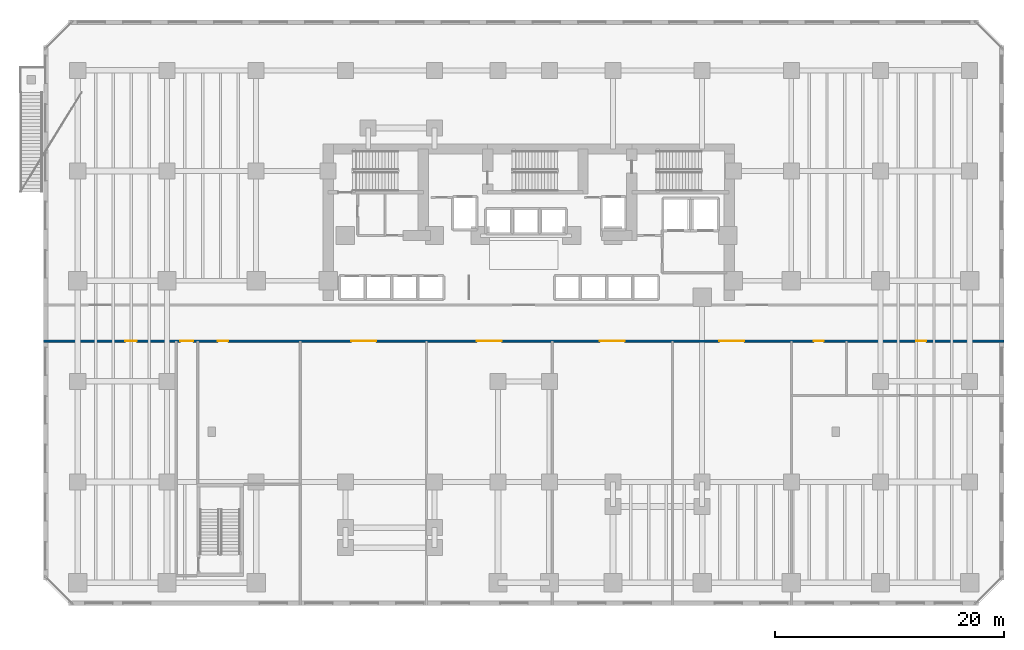
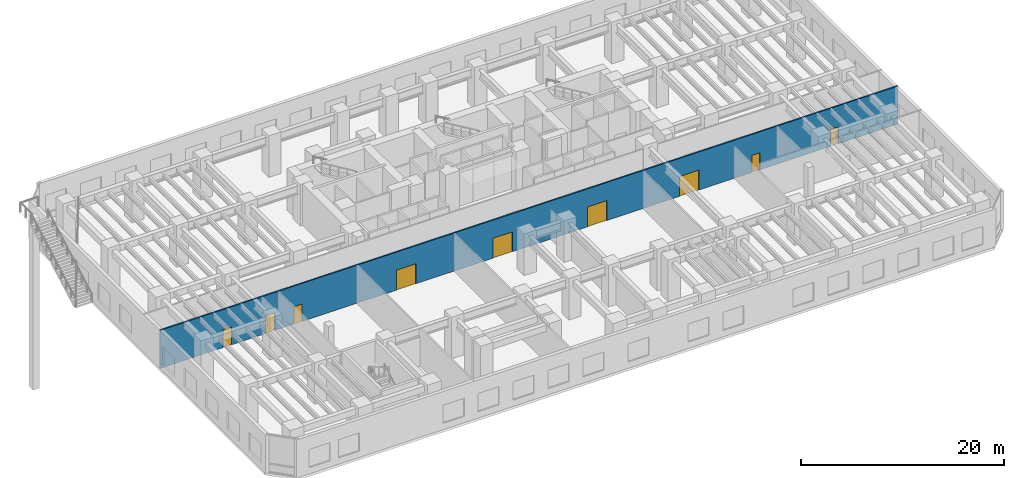
# One storey, part 12 of 20: 9 doors, 1 wall, 9 openings.
"""IFC4 building model written with IfcOpenShell, lengths in metres."""

from ifc_helpers import new_model, si_unit, direction, frame, frame_2d, origin, place, context, subcontext, project, spatial, rectangle, extrude, material, layer, layer_set, type_object, element, fill, save


model = new_model("IFC4")

# Units and contexts
model_context = context("Model", 3, precision=1e-05, world=origin(), true_north=direction((0.0, 1.0)))
body_context = subcontext(model_context, "Body", "Model", "MODEL_VIEW")
ifc_project = project(units=[si_unit("LENGTHUNIT", "METRE"), si_unit("AREAUNIT", "SQUARE_METRE"), si_unit("VOLUMEUNIT", "CUBIC_METRE"), si_unit("PLANEANGLEUNIT", "RADIAN"), si_unit("MASSUNIT", "GRAM", prefix="KILO")], contexts=[model_context])

# Site, building, storey
site_placement = place(None, origin())
site = spatial("IfcSite", under=ifc_project, at=site_placement, CompositionType="ELEMENT")
building_placement = place(site_placement, origin())
building = spatial("IfcBuilding", under=site, at=building_placement, Name="Kestravale Grand Hotel", CompositionType="ELEMENT")
storey_placement = place(building_placement, frame((0.0, 0.0, 15.800048828125)))
storey = spatial("IfcBuildingStorey", under=building, at=storey_placement, Name="L03", CompositionType="ELEMENT", Elevation=15.800048828125)

# Wall, openings, doors
ifc_material_1 = material(Name="Acoustic fire-rated gypsum board partition", Category="other")
ifc_layer = layer(ifc_material_1, 0.159912109375)
ifc_layer_set = layer_set([ifc_layer], Name="IW-CORR-160")
wall_type = type_object("IfcWallType", Name="IW-CORR-160", PredefinedType="PARTITIONING", material=ifc_layer_set)
wall_placement = place(storey_placement, frame((-2.97998046875, 23.52001953125, 0.0), z_axis=(0.0, 0.0, 1.0), x_axis=(1.0, 0.0, 0.0)))
wall = element("IfcWall", 1, at=wall_placement, inside=storey, type_object=wall_type, Name="W-L03-MC-S", PredefinedType="PARTITIONING", context=body_context, shape_type="SweptSolid", body=[
    extrude(rectangle(XDim=83.9599609375, YDim=0.159912109375, at=frame_2d((41.97998046875, 0.0))), origin(), (0.0, 0.0, 1.0), 4.579833984375),
])
opening_1_placement = place(wall_placement, frame((7.1298828125, 0.0, 0.0)))
opening_1 = element("IfcOpeningElement", 2, at=opening_1_placement, cuts=wall, Name="Opening D-GUEST-1000", PredefinedType="OPENING", context=body_context, shape_type="SweptSolid", body=[
    extrude(rectangle(XDim=1.0, YDim=2.14990234375, at=frame_2d((0.5, 1.074951171875))), frame((0.0, 0.08984375, 0.0), z_axis=(0.0, -1.0, 0.0), x_axis=(1.0, 0.0, 0.0)), (0.0, 0.0, 1.0), 0.179931640625),
])
opening_2_placement = place(wall_placement, frame((11.9599609375, 0.0, 0.0)))
opening_2 = element("IfcOpeningElement", 3, at=opening_2_placement, cuts=wall, Name="Opening D-CORR-1100", PredefinedType="OPENING", context=body_context, shape_type="SweptSolid", body=[
    extrude(rectangle(XDim=1.10009765625, YDim=2.14990234375, at=frame_2d((0.550048828125, 1.074951171875))), frame((0.0, 0.08984375, 0.0), z_axis=(0.0, -1.0, 0.0), x_axis=(1.0, 0.0, 0.0)), (0.0, 0.0, 1.0), 0.179931640625),
])
opening_3_placement = place(wall_placement, frame((15.205078125, 0.0, 0.0)))
opening_3 = element("IfcOpeningElement", 4, at=opening_3_placement, cuts=wall, Name="Opening D-GUEST-950", PredefinedType="OPENING", context=body_context, shape_type="SweptSolid", body=[
    extrude(rectangle(XDim=0.949951171875, YDim=2.10009765625, at=frame_2d((0.47509765625, 1.050048828125))), frame((0.0, 0.08984375, 0.0), z_axis=(0.0, -1.0, 0.0), x_axis=(1.0, 0.0, 0.0)), (0.0, 0.0, 1.0), 0.179931640625),
])
opening_4_placement = place(wall_placement, frame((26.8798828125, 0.0, 0.0)))
opening_4 = element("IfcOpeningElement", 5, at=opening_4_placement, cuts=wall, Name="Opening D-BAL-2200", PredefinedType="OPENING", context=body_context, shape_type="SweptSolid", body=[
    extrude(rectangle(XDim=2.199951171875, YDim=2.39990234375, at=frame_2d((1.10009765625, 1.199951171875))), frame((0.0, 0.08984375, 0.0), z_axis=(0.0, -1.0, 0.0), x_axis=(1.0, 0.0, 0.0)), (0.0, 0.0, 1.0), 0.179931640625),
])
opening_5_placement = place(wall_placement, frame((37.8798828125, 0.0, 0.0)))
opening_5 = element("IfcOpeningElement", 6, at=opening_5_placement, cuts=wall, Name="Opening D-BAL-2200", PredefinedType="OPENING", context=body_context, shape_type="SweptSolid", body=[
    extrude(rectangle(XDim=2.199951171875, YDim=2.39990234375, at=frame_2d((1.10009765625, 1.199951171875))), frame((0.0, 0.08984375, 0.0), z_axis=(0.0, -1.0, 0.0), x_axis=(1.0, 0.0, 0.0)), (0.0, 0.0, 1.0), 0.179931640625),
])
opening_6_placement = place(wall_placement, frame((48.6298828125, 0.0, 0.0)))
opening_6 = element("IfcOpeningElement", 7, at=opening_6_placement, cuts=wall, Name="Opening D-BAL-2200", PredefinedType="OPENING", context=body_context, shape_type="SweptSolid", body=[
    extrude(rectangle(XDim=2.199951171875, YDim=2.39990234375, at=frame_2d((1.10009765625, 1.199951171875))), frame((0.0, 0.08984375, 0.0), z_axis=(0.0, -1.0, 0.0), x_axis=(1.0, 0.0, 0.0)), (0.0, 0.0, 1.0), 0.179931640625),
])
opening_7_placement = place(wall_placement, frame((59.080078125, 0.0, 0.0)))
opening_7 = element("IfcOpeningElement", 8, at=opening_7_placement, cuts=wall, Name="Opening D-BAL-2200", PredefinedType="OPENING", context=body_context, shape_type="SweptSolid", body=[
    extrude(rectangle(XDim=2.199951171875, YDim=2.39990234375, at=frame_2d((1.10009765625, 1.199951171875))), frame((0.0, 0.08984375, 0.0), z_axis=(0.0, -1.0, 0.0), x_axis=(1.0, 0.0, 0.0)), (0.0, 0.0, 1.0), 0.179931640625),
])
opening_8_placement = place(wall_placement, frame((67.340087890625, 0.0, 0.0)))
opening_8 = element("IfcOpeningElement", 9, at=opening_8_placement, cuts=wall, Name="Opening D-BATH-880", PredefinedType="OPENING", context=body_context, shape_type="SweptSolid", body=[
    extrude(rectangle(XDim=0.8798828125, YDim=2.050048828125, at=frame_2d((0.43994140625, 1.02490234375))), frame((0.0, 0.08984375, 0.0), z_axis=(0.0, -1.0, 0.0), x_axis=(1.0, 0.0, 0.0)), (0.0, 0.0, 1.0), 0.179931640625),
])
opening_9_placement = place(wall_placement, frame((76.2900390625, 0.0, 0.0)))
opening_9 = element("IfcOpeningElement", 10, at=opening_9_placement, cuts=wall, Name="Opening D-BATH-880", PredefinedType="OPENING", context=body_context, shape_type="SweptSolid", body=[
    extrude(rectangle(XDim=0.8798828125, YDim=2.050048828125, at=frame_2d((0.43994140625, 1.02490234375))), frame((0.0, 0.08984375, 0.0), z_axis=(0.0, -1.0, 0.0), x_axis=(1.0, 0.0, 0.0)), (0.0, 0.0, 1.0), 0.179931640625),
])
ifc_material_2 = material(Name="Monumental walnut and bronze ballroom double fire door", Category="wood")
door_type_1 = type_object("IfcDoorType", Name="D-BAL-2200", OperationType="NOTDEFINED", PredefinedType="DOOR", material=ifc_material_2)
door_1_placement = place(opening_4_placement, origin())
door_1 = element("IfcDoor", 11, at=door_1_placement, inside=storey, type_object=door_type_1, Name="D-L03-CONF1", OperationType="DOUBLE_DOOR_SINGLE_SWING", OverallHeight=2.39990234375, OverallWidth=2.199951171875, PredefinedType="DOOR", context=body_context, shape_type="SweptSolid", body=[
    extrude(rectangle(XDim=2.199951171875, YDim=2.39990234375, at=frame_2d((1.10009765625, 1.199951171875))), frame((0.0, 0.02490234375, 0.0), z_axis=(0.0, -1.0, 0.0), x_axis=(1.0, 0.0, 0.0)), (0.0, 0.0, 1.0), 0.050048828125),
])
fill(opening_4, door_1)
door_2_placement = place(opening_5_placement, origin())
door_2 = element("IfcDoor", 12, at=door_2_placement, inside=storey, type_object=door_type_1, Name="D-L03-CONF2", OperationType="DOUBLE_DOOR_SINGLE_SWING", OverallHeight=2.39990234375, OverallWidth=2.199951171875, PredefinedType="DOOR", context=body_context, shape_type="SweptSolid", body=[
    extrude(rectangle(XDim=2.199951171875, YDim=2.39990234375, at=frame_2d((1.10009765625, 1.199951171875))), frame((0.0, 0.02490234375, 0.0), z_axis=(0.0, -1.0, 0.0), x_axis=(1.0, 0.0, 0.0)), (0.0, 0.0, 1.0), 0.050048828125),
])
fill(opening_5, door_2)
door_3_placement = place(opening_6_placement, origin())
door_3 = element("IfcDoor", 13, at=door_3_placement, inside=storey, type_object=door_type_1, Name="D-L03-CONF3", OperationType="DOUBLE_DOOR_SINGLE_SWING", OverallHeight=2.39990234375, OverallWidth=2.199951171875, PredefinedType="DOOR", context=body_context, shape_type="SweptSolid", body=[
    extrude(rectangle(XDim=2.199951171875, YDim=2.39990234375, at=frame_2d((1.10009765625, 1.199951171875))), frame((0.0, 0.02490234375, 0.0), z_axis=(0.0, -1.0, 0.0), x_axis=(1.0, 0.0, 0.0)), (0.0, 0.0, 1.0), 0.050048828125),
])
fill(opening_6, door_3)
door_4_placement = place(opening_7_placement, origin())
door_4 = element("IfcDoor", 14, at=door_4_placement, inside=storey, type_object=door_type_1, Name="D-L03-BUSC", OperationType="DOUBLE_DOOR_SINGLE_SWING", OverallHeight=2.39990234375, OverallWidth=2.199951171875, PredefinedType="DOOR", context=body_context, shape_type="SweptSolid", body=[
    extrude(rectangle(XDim=2.199951171875, YDim=2.39990234375, at=frame_2d((1.10009765625, 1.199951171875))), frame((0.0, 0.02490234375, 0.0), z_axis=(0.0, -1.0, 0.0), x_axis=(1.0, 0.0, 0.0)), (0.0, 0.0, 1.0), 0.050048828125),
])
fill(opening_7, door_4)
ifc_material_3 = material(Name="Moisture-sealed walnut en-suite bathroom door", Category="wood")
door_type_2 = type_object("IfcDoorType", Name="D-BATH-880", OperationType="NOTDEFINED", PredefinedType="DOOR", material=ifc_material_3)
door_5_placement = place(opening_8_placement, origin())
door_5 = element("IfcDoor", 15, at=door_5_placement, inside=storey, type_object=door_type_2, Name="D-L03-WCA", OperationType="SINGLE_SWING_RIGHT", OverallHeight=2.050048828125, OverallWidth=0.8798828125, PredefinedType="DOOR", context=body_context, shape_type="SweptSolid", body=[
    extrude(rectangle(XDim=0.8798828125, YDim=2.050048828125, at=frame_2d((0.43994140625, 1.02490234375))), frame((0.0, 0.02490234375, 0.0), z_axis=(0.0, -1.0, 0.0), x_axis=(1.0, 0.0, 0.0)), (0.0, 0.0, 1.0), 0.050048828125),
])
fill(opening_8, door_5)
door_6_placement = place(opening_9_placement, origin())
door_6 = element("IfcDoor", 16, at=door_6_placement, inside=storey, type_object=door_type_2, Name="D-L03-WCM", OperationType="SINGLE_SWING_LEFT", OverallHeight=2.050048828125, OverallWidth=0.8798828125, PredefinedType="DOOR", context=body_context, shape_type="SweptSolid", body=[
    extrude(rectangle(XDim=0.8798828125, YDim=2.050048828125, at=frame_2d((0.43994140625, 1.02490234375))), frame((0.0, 0.02490234375, 0.0), z_axis=(0.0, -1.0, 0.0), x_axis=(1.0, 0.0, 0.0)), (0.0, 0.0, 1.0), 0.050048828125),
])
fill(opening_9, door_6)
ifc_material_4 = material(Name="Single-leaf service vestibule fire door", Category="steel")
door_type_3 = type_object("IfcDoorType", Name="D-CORR-1100", OperationType="NOTDEFINED", PredefinedType="DOOR", material=ifc_material_4)
door_7_placement = place(opening_2_placement, origin())
door_7 = element("IfcDoor", 17, at=door_7_placement, inside=storey, type_object=door_type_3, Name="L03 ST-4 Corridor Door", OperationType="SINGLE_SWING_RIGHT", OverallHeight=2.14990234375, OverallWidth=1.10009765625, PredefinedType="DOOR", context=body_context, shape_type="SweptSolid", body=[
    extrude(rectangle(XDim=1.10009765625, YDim=2.14990234375, at=frame_2d((0.550048828125, 1.074951171875))), frame((0.0, 0.02490234375, 0.0), z_axis=(0.0, -1.0, 0.0), x_axis=(1.0, 0.0, 0.0)), (0.0, 0.0, 1.0), 0.050048828125),
])
fill(opening_2, door_7)
ifc_material_5 = material(Name="Accessible walnut veneer hotel entrance fire door", Category="wood")
door_type_4 = type_object("IfcDoorType", Name="D-GUEST-1000", OperationType="NOTDEFINED", PredefinedType="DOOR", material=ifc_material_5)
door_8_placement = place(opening_1_placement, origin())
door_8 = element("IfcDoor", 18, at=door_8_placement, inside=storey, type_object=door_type_4, Name="D-L03-WSAL", OperationType="SINGLE_SWING_RIGHT", OverallHeight=2.14990234375, OverallWidth=1.0, PredefinedType="DOOR", context=body_context, shape_type="SweptSolid", body=[
    extrude(rectangle(XDim=1.0, YDim=2.14990234375, at=frame_2d((0.5, 1.074951171875))), frame((0.0, 0.02490234375, 0.0), z_axis=(0.0, -1.0, 0.0), x_axis=(1.0, 0.0, 0.0)), (0.0, 0.0, 1.0), 0.050048828125),
])
fill(opening_1, door_8)
ifc_material_6 = material(Name="Walnut veneer hotel guestroom entrance fire door", Category="wood")
door_type_5 = type_object("IfcDoorType", Name="D-GUEST-950", OperationType="NOTDEFINED", PredefinedType="DOOR", material=ifc_material_6)
door_9_placement = place(opening_3_placement, origin())
door_9 = element("IfcDoor", 19, at=door_9_placement, inside=storey, type_object=door_type_5, Name="D-L03-MTGW", OperationType="SINGLE_SWING_LEFT", OverallHeight=2.10009765625, OverallWidth=0.949951171875, PredefinedType="DOOR", context=body_context, shape_type="SweptSolid", body=[
    extrude(rectangle(XDim=0.949951171875, YDim=2.10009765625, at=frame_2d((0.47509765625, 1.050048828125))), frame((0.0, 0.02490234375, 0.0), z_axis=(0.0, -1.0, 0.0), x_axis=(1.0, 0.0, 0.0)), (0.0, 0.0, 1.0), 0.050048828125),
])
fill(opening_3, door_9)

save(model, "model.ifc")
